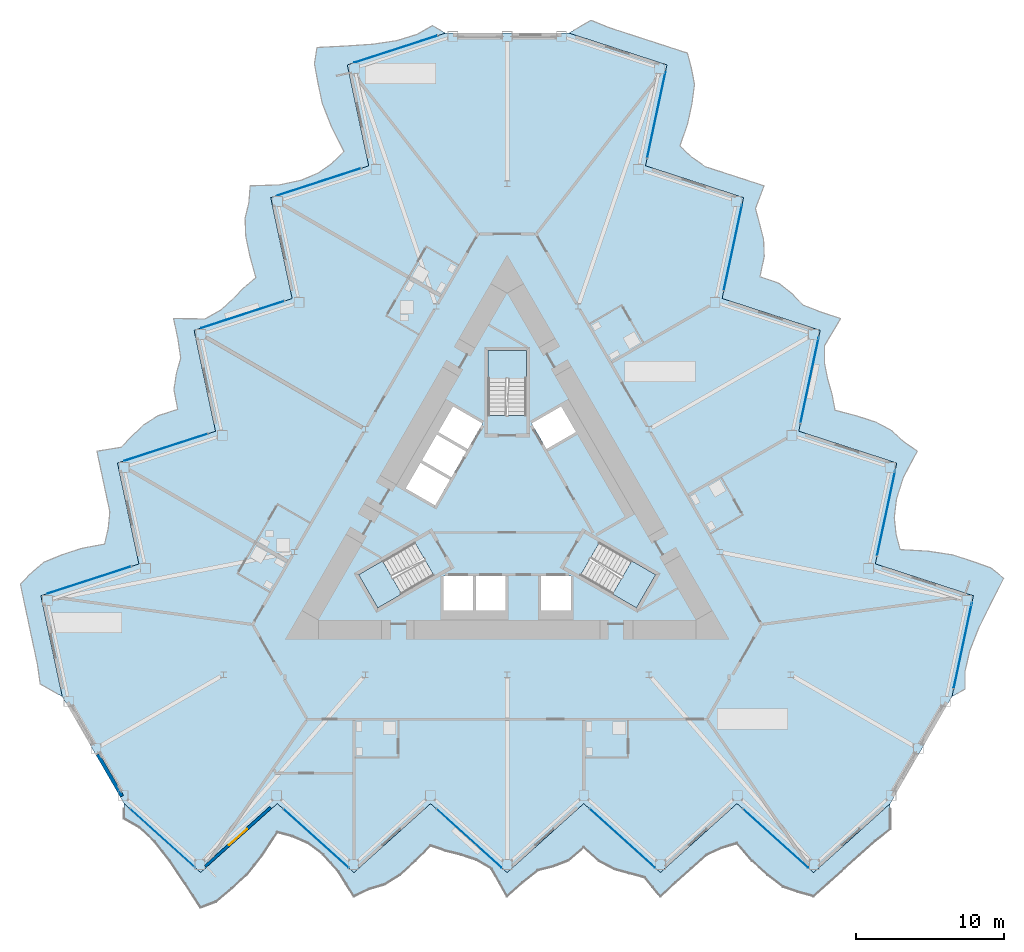
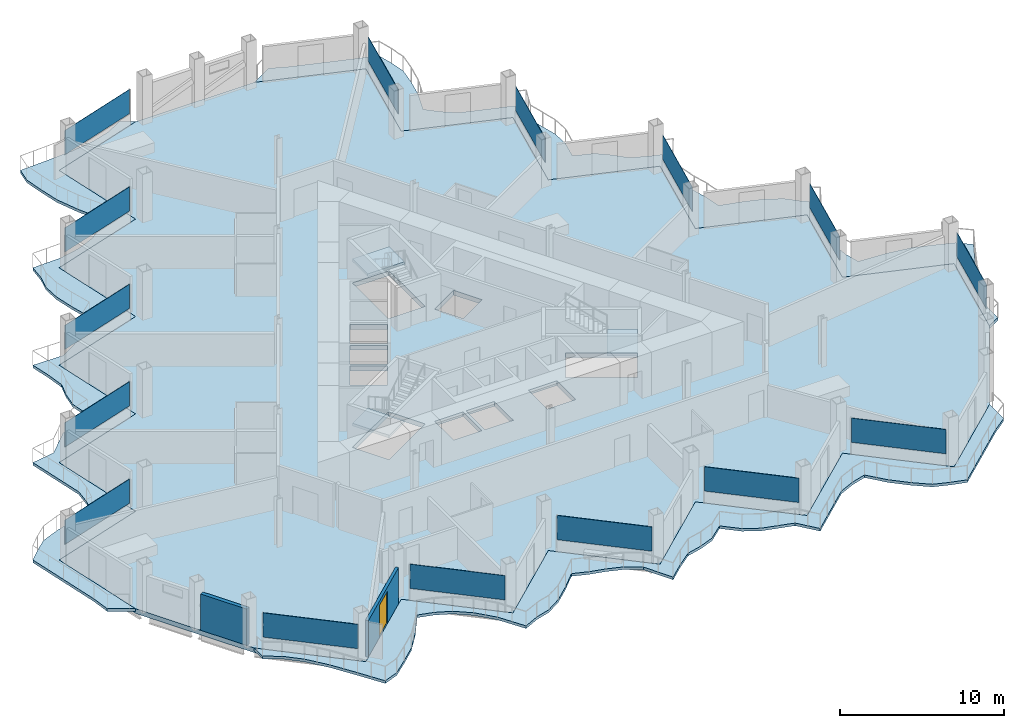
# One storey, part 10 of 23: 15 plates, 7 slabs, 2 walls, 1 door, 1 opening, 18 elements without a shape of their own.
"""IFC4 building model written with IfcOpenShell, lengths in metres."""

from ifc_helpers import new_model, si_unit, direction, frame, frame_2d, origin, origin_2d, place, context, subcontext, project, spatial, polyline, rectangle, outline, extrude, material, layer, layer_set, type_object, element, fill, aggregate, save


model = new_model("IFC4")

# Units and contexts
model_context = context("Model", 3, precision=1e-05, world=origin(), true_north=direction((0.0, 1.0)))
body_context = subcontext(model_context, "Body", "Model", "MODEL_VIEW")
ifc_project = project(units=[si_unit("LENGTHUNIT", "METRE"), si_unit("AREAUNIT", "SQUARE_METRE"), si_unit("VOLUMEUNIT", "CUBIC_METRE"), si_unit("PLANEANGLEUNIT", "RADIAN"), si_unit("MASSUNIT", "GRAM", prefix="KILO")], contexts=[model_context])

# Site, building, storey
site_placement = place(None, origin())
site = spatial("IfcSite", under=ifc_project, at=site_placement, CompositionType="ELEMENT")
building_placement = place(site_placement, origin())
building = spatial("IfcBuilding", under=site, at=building_placement, Name="Cormorant Prow Tower", CompositionType="ELEMENT")
storey_placement = place(building_placement, frame((0.0, 0.0, 245.39990234375)))
storey = spatial("IfcBuildingStorey", under=building, at=storey_placement, Name="L54", CompositionType="ELEMENT", Elevation=245.39990234375)

# Slabs
ifc_material_1 = material(Name="Concrete C40/50", Category="concrete")
ifc_layer_1 = layer(ifc_material_1, 0.199951171875)
ifc_layer_set_1 = layer_set([ifc_layer_1], Name="Concrete C40/50")
slab_type_1 = type_object("IfcSlabType", Name="Balcony slab 200", PredefinedType="FLOOR", material=ifc_layer_set_1)
slab_1_placement = place(storey_placement, frame((0.0, 0.0, -0.199951171875)))
element("IfcSlab", 1, at=slab_1_placement, inside=storey, type_object=slab_type_1, Name="Balcony slab S L54", PredefinedType="FLOOR", context=body_context, shape_type="SweptSolid", body=[
    extrude(outline(polyline([(-25.87841796875, -19.75830078125), (-25.87841796875, -20.7744140625), (-24.84326171875, -21.37548828125), (-23.808349609375, -22.331298828125), (-22.773193359375, -23.634521484375), (-21.738037109375, -25.177001953125), (-20.702880859375, -26.78076171875), (-19.667724609375, -26.38525390625), (-18.632568359375, -25.50439453125), (-17.597412109375, -24.572265625), (-16.562255859375, -23.269775390625), (-15.527099609375, -21.69287109375), (-14.491943359375, -21.969970703125), (-13.456787109375, -22.427978515625), (-12.421630859375, -23.20556640625), (-11.386474609375, -24.34716796875), (-10.351318359375, -26.018310546875), (-9.316162109375, -25.52685546875), (-8.281005859375, -25.22021484375), (-7.24609375, -24.572265625), (-6.2109375, -23.64013671875), (-5.17578125, -22.58984375), (-4.140625, -22.952392578125), (-3.10546875, -23.20947265625), (-2.0703125, -23.5576171875), (-1.03515625, -24.16748046875), (0.0, -26.018310546875), (1.03515625, -25.08642578125), (2.0703125, -24.262939453125), (3.10546875, -24.00146484375), (4.140625, -23.599853515625), (5.17578125, -22.708251953125), (6.2109375, -23.64013671875), (7.24609375, -24.1865234375), (8.281005859375, -24.470947265625), (9.316162109375, -24.75048828125), (10.351318359375, -26.018310546875), (11.386474609375, -25.08642578125), (12.421630859375, -24.154296875), (13.456787109375, -23.22216796875), (14.491943359375, -22.748779296875), (15.527099609375, -22.4384765625), (16.562255859375, -23.64013671875), (17.597412109375, -24.572265625), (18.632568359375, -25.373779296875), (19.667724609375, -25.731201171875), (20.702880859375, -26.018310546875), (21.738037109375, -25.08642578125), (22.773193359375, -24.154296875), (23.808349609375, -23.22216796875), (24.84326171875, -22.290283203125), (25.87841796875, -21.48486328125), (25.87841796875, -19.75830078125), (24.84326171875, -20.690185546875), (23.808349609375, -21.622314453125), (22.773193359375, -22.554443359375), (21.738037109375, -23.486328125), (20.702880859375, -24.41845703125), (19.667724609375, -23.486328125), (18.632568359375, -22.554443359375), (17.597412109375, -21.622314453125), (16.562255859375, -20.690185546875), (15.527099609375, -19.75830078125), (14.491943359375, -20.690185546875), (13.456787109375, -21.622314453125), (12.421630859375, -22.554443359375), (11.386474609375, -23.486328125), (10.351318359375, -24.41845703125), (9.316162109375, -23.486328125), (8.281005859375, -22.554443359375), (7.24609375, -21.622314453125), (6.2109375, -20.690185546875), (5.17578125, -19.75830078125), (4.140625, -20.690185546875), (3.10546875, -21.622314453125), (2.0703125, -22.554443359375), (1.03515625, -23.486328125), (0.0, -24.41845703125), (-1.03515625, -23.486328125), (-2.0703125, -22.554443359375), (-3.10546875, -21.622314453125), (-4.140625, -20.690185546875), (-5.17578125, -19.75830078125), (-6.2109375, -20.690185546875), (-7.24609375, -21.622314453125), (-8.281005859375, -22.554443359375), (-9.316162109375, -23.486328125), (-10.351318359375, -24.41845703125), (-11.386474609375, -23.486328125), (-12.421630859375, -22.554443359375), (-13.456787109375, -21.622314453125), (-14.491943359375, -20.690185546875), (-15.527099609375, -19.75830078125), (-16.562255859375, -20.690185546875), (-17.597412109375, -21.622314453125), (-18.632568359375, -22.554443359375), (-19.667724609375, -23.486328125), (-20.702880859375, -24.41845703125), (-21.738037109375, -23.486328125), (-22.773193359375, -22.554443359375), (-23.808349609375, -21.622314453125), (-24.84326171875, -20.690185546875), (-25.87841796875, -19.75830078125)])), origin(), (0.0, 0.0, 1.0), 0.199951171875),
])
slab_2_placement = place(storey_placement, frame((0.0, 0.0, -0.199951171875)))
element("IfcSlab", 2, at=slab_2_placement, inside=storey, type_object=slab_type_1, Name="Balcony slab ENE L54", PredefinedType="FLOOR", context=body_context, shape_type="SweptSolid", body=[
    extrude(outline(polyline([(30.05029296875, -12.532470703125), (30.930419921875, -12.0244140625), (30.93359375, -10.8271484375), (31.24365234375, -9.452880859375), (31.854736328125, -7.90478515625), (32.673095703125, -6.237060546875), (33.544189453125, -4.538818359375), (32.68408203125, -3.840087890625), (31.403564453125, -3.384033203125), (30.078857421875, -2.95361328125), (28.433349609375, -2.70849609375), (26.55029296875, -2.600341796875), (26.2724609375, -1.5654296875), (26.151611328125, -0.43994140625), (26.307373046875, 0.84521484375), (26.778564453125, 2.3125), (27.708251953125, 4.044677734375), (26.764892578125, 4.6953125), (25.98193359375, 5.4384765625), (24.9033203125, 6.010986328125), (23.578369140625, 6.44140625), (22.151123046875, 6.812744140625), (21.94775390625, 7.890380859375), (21.652587890625, 8.915283203125), (21.436767578125, 9.98583984375), (21.447265625, 11.187255859375), (22.53271484375, 13.00927734375), (21.207763671875, 13.439697265625), (19.977294921875, 13.924560546875), (19.233154296875, 14.690185546875), (18.367919921875, 15.3857421875), (17.078125, 15.83642578125), (17.36767578125, 17.198974609375), (17.322998046875, 18.368408203125), (17.0517578125, 19.406982421875), (16.7763671875, 20.443359375), (17.35693359375, 21.973876953125), (16.0322265625, 22.404296875), (14.70751953125, 22.834716796875), (13.382568359375, 23.26513671875), (12.455078125, 23.9248046875), (11.668701171875, 24.666015625), (12.19189453125, 26.163330078125), (12.4814453125, 27.52587890625), (12.657958984375, 28.822998046875), (12.449951171875, 29.898193359375), (12.18115234375, 30.9384765625), (10.8564453125, 31.368896484375), (9.53173828125, 31.79931640625), (8.20703125, 32.229736328125), (6.88232421875, 32.66015625), (5.667236328125, 33.154052734375), (4.171875, 32.29052734375), (5.49658203125, 31.860107421875), (6.8212890625, 31.4296875), (8.14599609375, 30.999267578125), (9.470703125, 30.56884765625), (10.795654296875, 30.138427734375), (10.505859375, 28.77587890625), (10.21630859375, 27.413330078125), (9.9267578125, 26.051025390625), (9.63720703125, 24.6884765625), (9.34765625, 23.325927734375), (10.67236328125, 22.8955078125), (11.9970703125, 22.465087890625), (13.32177734375, 22.03466796875), (14.646484375, 21.604248046875), (15.97119140625, 21.173828125), (15.681640625, 19.811279296875), (15.39208984375, 18.44873046875), (15.1025390625, 17.08642578125), (14.812744140625, 15.723876953125), (14.523193359375, 14.361328125), (15.847900390625, 13.930908203125), (17.172607421875, 13.50048828125), (18.49755859375, 13.070068359375), (19.822265625, 12.6396484375), (21.14697265625, 12.209228515625), (20.857421875, 10.8466796875), (20.56787109375, 9.484130859375), (20.278076171875, 8.121826171875), (19.988525390625, 6.75927734375), (19.698974609375, 5.396728515625), (21.023681640625, 4.96630859375), (22.348388671875, 4.535888671875), (23.673095703125, 4.10546875), (24.997802734375, 3.675048828125), (26.32275390625, 3.24462890625), (26.032958984375, 1.882080078125), (25.743408203125, 0.519775390625), (25.453857421875, -0.8427734375), (25.164306640625, -2.205322265625), (24.874755859375, -3.56787109375), (26.199462890625, -3.998291015625), (27.524169921875, -4.4287109375), (28.848876953125, -4.859130859375), (30.173583984375, -5.28955078125), (31.498291015625, -5.719970703125), (31.208740234375, -7.08251953125), (30.919189453125, -8.44482421875), (30.629638671875, -9.807373046875), (30.33984375, -11.169921875), (30.05029296875, -12.532470703125)])), origin(), (0.0, 0.0, 1.0), 0.199951171875),
])
slab_3_placement = place(storey_placement, frame((0.0, 0.0, -0.199951171875)))
element("IfcSlab", 3, at=slab_3_placement, inside=storey, type_object=slab_type_1, Name="Balcony slab WNW L54", PredefinedType="FLOOR", context=body_context, shape_type="SweptSolid", body=[
    extrude(outline(polyline([(-4.171875, 32.29052734375), (-5.0517578125, 32.798583984375), (-6.090087890625, 32.202880859375), (-7.435302734375, 31.7841796875), (-9.08154296875, 31.539306640625), (-10.93505859375, 31.4140625), (-12.84130859375, 31.319580078125), (-13.016357421875, 30.225341796875), (-12.771240234375, 28.888427734375), (-12.4814453125, 27.52587890625), (-11.87109375, 25.978271484375), (-11.023193359375, 24.29345703125), (-11.780517578125, 23.535400390625), (-12.69482421875, 22.867919921875), (-13.8857421875, 22.360107421875), (-15.39208984375, 22.03466796875), (-17.35693359375, 21.973876953125), (-17.44873046875, 20.83154296875), (-17.700927734375, 19.78173828125), (-17.6572265625, 18.561279296875), (-17.36767578125, 17.198974609375), (-16.9755859375, 15.777099609375), (-17.80712890625, 15.06201171875), (-18.547119140625, 14.294189453125), (-19.366455078125, 13.57177734375), (-20.412109375, 12.980224609375), (-22.53271484375, 13.00927734375), (-22.242919921875, 11.646728515625), (-22.047607421875, 10.338623046875), (-22.338623046875, 9.311279296875), (-22.508544921875, 8.214111328125), (-22.253662109375, 6.871826171875), (-23.578369140625, 6.44140625), (-24.569091796875, 5.818115234375), (-25.3330078125, 5.063720703125), (-26.092529296875, 4.30712890625), (-27.708251953125, 4.044677734375), (-27.418701171875, 2.68212890625), (-27.129150390625, 1.319580078125), (-26.839599609375, -0.042724609375), (-26.947021484375, -1.176025390625), (-27.19580078125, -2.2275390625), (-28.754150390625, -2.523193359375), (-30.078857421875, -2.95361328125), (-31.29052734375, -3.449462890625), (-32.11767578125, -4.167236328125), (-32.884033203125, -4.919921875), (-32.594482421875, -6.282470703125), (-32.3046875, -7.64501953125), (-32.01513671875, -9.00732421875), (-31.7255859375, -10.369873046875), (-31.5458984375, -11.6689453125), (-30.05029296875, -12.532470703125), (-30.33984375, -11.169921875), (-30.629638671875, -9.807373046875), (-30.919189453125, -8.44482421875), (-31.208740234375, -7.08251953125), (-31.498291015625, -5.719970703125), (-30.173583984375, -5.28955078125), (-28.848876953125, -4.859130859375), (-27.524169921875, -4.4287109375), (-26.199462890625, -3.998291015625), (-24.874755859375, -3.56787109375), (-25.164306640625, -2.205322265625), (-25.453857421875, -0.8427734375), (-25.743408203125, 0.519775390625), (-26.032958984375, 1.882080078125), (-26.32275390625, 3.24462890625), (-24.997802734375, 3.675048828125), (-23.673095703125, 4.10546875), (-22.348388671875, 4.535888671875), (-21.023681640625, 4.96630859375), (-19.698974609375, 5.396728515625), (-19.988525390625, 6.75927734375), (-20.278076171875, 8.121826171875), (-20.56787109375, 9.484130859375), (-20.857421875, 10.8466796875), (-21.14697265625, 12.209228515625), (-19.822265625, 12.6396484375), (-18.49755859375, 13.070068359375), (-17.172607421875, 13.50048828125), (-15.847900390625, 13.930908203125), (-14.523193359375, 14.361328125), (-14.812744140625, 15.723876953125), (-15.1025390625, 17.08642578125), (-15.39208984375, 18.44873046875), (-15.681640625, 19.811279296875), (-15.97119140625, 21.173828125), (-14.646484375, 21.604248046875), (-13.32177734375, 22.03466796875), (-11.9970703125, 22.465087890625), (-10.67236328125, 22.8955078125), (-9.34765625, 23.325927734375), (-9.63720703125, 24.6884765625), (-9.9267578125, 26.051025390625), (-10.21630859375, 27.413330078125), (-10.505859375, 28.77587890625), (-10.795654296875, 30.138427734375), (-9.470703125, 30.56884765625), (-8.14599609375, 30.999267578125), (-6.8212890625, 31.4296875), (-5.49658203125, 31.860107421875), (-4.171875, 32.29052734375)])), origin(), (0.0, 0.0, 1.0), 0.199951171875),
])

# Curtain wall, plate
ifc_material_2 = material(Name="Aluminium 6063-T6", Category="aluminium")
ifc_layer_2 = layer(ifc_material_2, 0.179931640625)
ifc_layer_set_2 = layer_set([ifc_layer_2], Name="Aluminium 6063-T6")
curtain_wall_type = type_object("IfcCurtainWallType", Name="Hotel unitised curtain wall 180", PredefinedType="NOTDEFINED", material=ifc_layer_set_2)
curtain_wall_1_placement = place(storey_placement, origin())
curtain_wall_1 = element("IfcCurtainWall", 4, at=curtain_wall_1_placement, inside=storey, type_object=curtain_wall_type, Name="Hotel curtain wall S00", PredefinedType="NOTDEFINED")
ifc_material_3 = material(Name="Clear glass", Category="glass")
ifc_layer_3 = layer(ifc_material_3, 0.028076171875)
ifc_layer_set_3 = layer_set([ifc_layer_3], Name="Clear glass")
plate_type = type_object("IfcPlateType", Name="Hotel glass panel 28", PredefinedType="CURTAIN_PANEL", material=ifc_layer_set_3)
plate_1_placement = place(storey_placement, frame((-23.268310546875, -22.1083984375, 0.900146484375), z_axis=(0.0, 0.0, 1.0), x_axis=(0.743144812176, -0.669130621132, 0.0)))
plate_1 = element("IfcPlate", 5, at=plate_1_placement, type_object=plate_type, Name="Hotel glass panel S00", PredefinedType="CURTAIN_PANEL", context=body_context, shape_type="SweptSolid", body=[
    extrude(rectangle(XDim=5.902587890625, YDim=0.028076171875, at=origin_2d()), origin(), (0.0, 0.0, 1.0), 1.80078125),
])
aggregate(curtain_wall_1, [plate_1])

curtain_wall_2_placement = place(storey_placement, origin())
curtain_wall_2 = element("IfcCurtainWall", 6, at=curtain_wall_2_placement, inside=storey, type_object=curtain_wall_type, Name="Hotel curtain wall S02", PredefinedType="NOTDEFINED")
plate_2_placement = place(storey_placement, frame((-12.9169921875, -22.1083984375, 0.900146484375), z_axis=(0.0, 0.0, 1.0), x_axis=(0.743144876466, -0.66913054973, 0.0)))
plate_2 = element("IfcPlate", 7, at=plate_2_placement, type_object=plate_type, Name="Hotel glass panel S02", PredefinedType="CURTAIN_PANEL", context=body_context, shape_type="SweptSolid", body=[
    extrude(rectangle(XDim=5.902587890625, YDim=0.028076171875, at=origin_2d()), origin(), (0.0, 0.0, 1.0), 1.80078125),
])
aggregate(curtain_wall_2, [plate_2])

curtain_wall_3_placement = place(storey_placement, origin())
curtain_wall_3 = element("IfcCurtainWall", 8, at=curtain_wall_3_placement, inside=storey, type_object=curtain_wall_type, Name="Hotel curtain wall S04", PredefinedType="NOTDEFINED")
plate_3_placement = place(storey_placement, frame((-2.565673828125, -22.1083984375, 0.900146484375), z_axis=(0.0, 0.0, 1.0), x_axis=(0.743144812176, -0.669130621132, 0.0)))
plate_3 = element("IfcPlate", 9, at=plate_3_placement, type_object=plate_type, Name="Hotel glass panel S04", PredefinedType="CURTAIN_PANEL", context=body_context, shape_type="SweptSolid", body=[
    extrude(rectangle(XDim=5.902587890625, YDim=0.028076171875, at=origin_2d()), origin(), (0.0, 0.0, 1.0), 1.80078125),
])
aggregate(curtain_wall_3, [plate_3])

curtain_wall_4_placement = place(storey_placement, origin())
curtain_wall_4 = element("IfcCurtainWall", 10, at=curtain_wall_4_placement, inside=storey, type_object=curtain_wall_type, Name="Hotel curtain wall S06", PredefinedType="NOTDEFINED")
plate_4_placement = place(storey_placement, frame((7.785888671875, -22.1083984375, 0.900146484375), z_axis=(0.0, 0.0, 1.0), x_axis=(0.743144812176, -0.669130621132, 0.0)))
plate_4 = element("IfcPlate", 11, at=plate_4_placement, type_object=plate_type, Name="Hotel glass panel S06", PredefinedType="CURTAIN_PANEL", context=body_context, shape_type="SweptSolid", body=[
    extrude(rectangle(XDim=5.902587890625, YDim=0.028076171875, at=origin_2d()), origin(), (0.0, 0.0, 1.0), 1.80078125),
])
aggregate(curtain_wall_4, [plate_4])

curtain_wall_5_placement = place(storey_placement, origin())
curtain_wall_5 = element("IfcCurtainWall", 12, at=curtain_wall_5_placement, inside=storey, type_object=curtain_wall_type, Name="Hotel curtain wall S08", PredefinedType="NOTDEFINED")
plate_5_placement = place(storey_placement, frame((18.13720703125, -22.1083984375, 0.900146484375), z_axis=(0.0, 0.0, 1.0), x_axis=(0.743144812176, -0.669130621132, 0.0)))
plate_5 = element("IfcPlate", 13, at=plate_5_placement, type_object=plate_type, Name="Hotel glass panel S08", PredefinedType="CURTAIN_PANEL", context=body_context, shape_type="SweptSolid", body=[
    extrude(rectangle(XDim=5.902587890625, YDim=0.028076171875, at=origin_2d()), origin(), (0.0, 0.0, 1.0), 1.80078125),
])
aggregate(curtain_wall_5, [plate_5])

curtain_wall_6_placement = place(storey_placement, origin())
curtain_wall_6 = element("IfcCurtainWall", 14, at=curtain_wall_6_placement, inside=storey, type_object=curtain_wall_type, Name="Hotel curtain wall ENE00", PredefinedType="NOTDEFINED")
plate_6_placement = place(storey_placement, frame((30.780517578125, -9.096923828125, 0.900146484375), z_axis=(0.0, 0.0, 1.0), x_axis=(0.207911667327, 0.978147605727, 0.0)))
plate_6 = element("IfcPlate", 15, at=plate_6_placement, type_object=plate_type, Name="Hotel glass panel ENE00", PredefinedType="CURTAIN_PANEL", context=body_context, shape_type="SweptSolid", body=[
    extrude(rectangle(XDim=5.902587890625, YDim=0.028076171875, at=origin_2d()), origin(), (0.0, 0.0, 1.0), 1.80078125),
])
aggregate(curtain_wall_6, [plate_6])

curtain_wall_7_placement = place(storey_placement, origin())
curtain_wall_7 = element("IfcCurtainWall", 16, at=curtain_wall_7_placement, inside=storey, type_object=curtain_wall_type, Name="Hotel curtain wall ENE02", PredefinedType="NOTDEFINED")
plate_7_placement = place(storey_placement, frame((25.60498046875, -0.13232421875, 0.900146484375), z_axis=(0.0, 0.0, 1.0), x_axis=(0.207911667327, 0.978147605727, 0.0)))
plate_7 = element("IfcPlate", 17, at=plate_7_placement, type_object=plate_type, Name="Hotel glass panel ENE02", PredefinedType="CURTAIN_PANEL", context=body_context, shape_type="SweptSolid", body=[
    extrude(rectangle(XDim=5.902587890625, YDim=0.028076171875, at=origin_2d()), origin(), (0.0, 0.0, 1.0), 1.80078125),
])
aggregate(curtain_wall_7, [plate_7])

curtain_wall_8_placement = place(storey_placement, origin())
curtain_wall_8 = element("IfcCurtainWall", 18, at=curtain_wall_8_placement, inside=storey, type_object=curtain_wall_type, Name="Hotel curtain wall ENE04", PredefinedType="NOTDEFINED")
plate_8_placement = place(storey_placement, frame((20.42919921875, 8.832275390625, 0.900146484375), z_axis=(0.0, 0.0, 1.0), x_axis=(0.207911667327, 0.978147605727, 0.0)))
plate_8 = element("IfcPlate", 19, at=plate_8_placement, type_object=plate_type, Name="Hotel glass panel ENE04", PredefinedType="CURTAIN_PANEL", context=body_context, shape_type="SweptSolid", body=[
    extrude(rectangle(XDim=5.902587890625, YDim=0.028076171875, at=origin_2d()), origin(), (0.0, 0.0, 1.0), 1.80078125),
])
aggregate(curtain_wall_8, [plate_8])

curtain_wall_9_placement = place(storey_placement, origin())
curtain_wall_9 = element("IfcCurtainWall", 20, at=curtain_wall_9_placement, inside=storey, type_object=curtain_wall_type, Name="Hotel curtain wall ENE06", PredefinedType="NOTDEFINED")
plate_9_placement = place(storey_placement, frame((15.25341796875, 17.796875, 0.900146484375), z_axis=(0.0, 0.0, 1.0), x_axis=(0.207911833914, 0.978147570318, 0.0)))
plate_9 = element("IfcPlate", 21, at=plate_9_placement, type_object=plate_type, Name="Hotel glass panel ENE06", PredefinedType="CURTAIN_PANEL", context=body_context, shape_type="SweptSolid", body=[
    extrude(rectangle(XDim=5.902587890625, YDim=0.028076171875, at=origin_2d()), origin(), (0.0, 0.0, 1.0), 1.80078125),
])
aggregate(curtain_wall_9, [plate_9])

curtain_wall_10_placement = place(storey_placement, origin())
curtain_wall_10 = element("IfcCurtainWall", 22, at=curtain_wall_10_placement, inside=storey, type_object=curtain_wall_type, Name="Hotel curtain wall ENE08", PredefinedType="NOTDEFINED")
plate_10_placement = place(storey_placement, frame((10.077880859375, 26.761474609375, 0.900146484375), z_axis=(0.0, 0.0, 1.0), x_axis=(0.207911667327, 0.978147605727, 0.0)))
plate_10 = element("IfcPlate", 23, at=plate_10_placement, type_object=plate_type, Name="Hotel glass panel ENE08", PredefinedType="CURTAIN_PANEL", context=body_context, shape_type="SweptSolid", body=[
    extrude(rectangle(XDim=5.902587890625, YDim=0.028076171875, at=origin_2d()), origin(), (0.0, 0.0, 1.0), 1.80078125),
])
aggregate(curtain_wall_10, [plate_10])

curtain_wall_11_placement = place(storey_placement, origin())
curtain_wall_11 = element("IfcCurtainWall", 24, at=curtain_wall_11_placement, inside=storey, type_object=curtain_wall_type, Name="Hotel curtain wall WNW00", PredefinedType="NOTDEFINED")
plate_11_placement = place(storey_placement, frame((-7.51220703125, 31.205078125, 0.900146484375), z_axis=(0.0, 0.0, 1.0), x_axis=(-0.951056504268, -0.309017031391, 0.0)))
plate_11 = element("IfcPlate", 25, at=plate_11_placement, type_object=plate_type, Name="Hotel glass panel WNW00", PredefinedType="CURTAIN_PANEL", context=body_context, shape_type="SweptSolid", body=[
    extrude(rectangle(XDim=5.902587890625, YDim=0.028076171875, at=origin_2d()), origin(), (0.0, 0.0, 1.0), 1.80078125),
])
aggregate(curtain_wall_11, [plate_11])

curtain_wall_12_placement = place(storey_placement, origin())
curtain_wall_12 = element("IfcCurtainWall", 26, at=curtain_wall_12_placement, inside=storey, type_object=curtain_wall_type, Name="Hotel curtain wall WNW02", PredefinedType="NOTDEFINED")
plate_12_placement = place(storey_placement, frame((-12.68798828125, 22.24072265625, 0.900146484375), z_axis=(0.0, 0.0, 1.0), x_axis=(-0.951056517978, -0.309016989196, 0.0)))
plate_12 = element("IfcPlate", 27, at=plate_12_placement, type_object=plate_type, Name="Hotel glass panel WNW02", PredefinedType="CURTAIN_PANEL", context=body_context, shape_type="SweptSolid", body=[
    extrude(rectangle(XDim=5.902587890625, YDim=0.028076171875, at=origin_2d()), origin(), (0.0, 0.0, 1.0), 1.80078125),
])
aggregate(curtain_wall_12, [plate_12])

curtain_wall_13_placement = place(storey_placement, origin())
curtain_wall_13 = element("IfcCurtainWall", 28, at=curtain_wall_13_placement, inside=storey, type_object=curtain_wall_type, Name="Hotel curtain wall WNW04", PredefinedType="NOTDEFINED")
plate_13_placement = place(storey_placement, frame((-17.863525390625, 13.276123046875, 0.900146484375), z_axis=(0.0, 0.0, 1.0), x_axis=(-0.951056517978, -0.309016989196, 0.0)))
plate_13 = element("IfcPlate", 29, at=plate_13_placement, type_object=plate_type, Name="Hotel glass panel WNW04", PredefinedType="CURTAIN_PANEL", context=body_context, shape_type="SweptSolid", body=[
    extrude(rectangle(XDim=5.902587890625, YDim=0.028076171875, at=origin_2d()), origin(), (0.0, 0.0, 1.0), 1.80078125),
])
aggregate(curtain_wall_13, [plate_13])

curtain_wall_14_placement = place(storey_placement, origin())
curtain_wall_14 = element("IfcCurtainWall", 30, at=curtain_wall_14_placement, inside=storey, type_object=curtain_wall_type, Name="Hotel curtain wall WNW06", PredefinedType="NOTDEFINED")
plate_14_placement = place(storey_placement, frame((-23.039306640625, 4.3115234375, 0.900146484375), z_axis=(0.0, 0.0, 1.0), x_axis=(-0.951056504268, -0.309017031391, 0.0)))
plate_14 = element("IfcPlate", 31, at=plate_14_placement, type_object=plate_type, Name="Hotel glass panel WNW06", PredefinedType="CURTAIN_PANEL", context=body_context, shape_type="SweptSolid", body=[
    extrude(rectangle(XDim=5.902587890625, YDim=0.028076171875, at=origin_2d()), origin(), (0.0, 0.0, 1.0), 1.80078125),
])
aggregate(curtain_wall_14, [plate_14])

curtain_wall_15_placement = place(storey_placement, origin())
curtain_wall_15 = element("IfcCurtainWall", 32, at=curtain_wall_15_placement, inside=storey, type_object=curtain_wall_type, Name="Hotel curtain wall WNW08", PredefinedType="NOTDEFINED")
plate_15_placement = place(storey_placement, frame((-28.215087890625, -4.653076171875, 0.900146484375), z_axis=(0.0, 0.0, 1.0), x_axis=(-0.951056546466, -0.30901690152, 0.0)))
plate_15 = element("IfcPlate", 33, at=plate_15_placement, type_object=plate_type, Name="Hotel glass panel WNW08", PredefinedType="CURTAIN_PANEL", context=body_context, shape_type="SweptSolid", body=[
    extrude(rectangle(XDim=5.902587890625, YDim=0.028076171875, at=origin_2d()), origin(), (0.0, 0.0, 1.0), 1.80078125),
])
aggregate(curtain_wall_15, [plate_15])

# Slab
ifc_material_4 = material(Name="Concrete C40/50", Category="concrete")
ifc_layer_4 = layer(ifc_material_4, 0.35009765625)
ifc_layer_set_4 = layer_set([ifc_layer_4], Name="Concrete C40/50")
slab_type_2 = type_object("IfcSlabType", Name="Post-tensioned flat slab 350", PredefinedType="FLOOR", material=ifc_layer_set_4)
slab_4_placement = place(storey_placement, frame((0.0, 0.0, -0.349853515625)))
element("IfcSlab", 34, at=slab_4_placement, inside=storey, type_object=slab_type_2, Name="Floor slab L54", PredefinedType="FLOOR", context=body_context, shape_type="SweptSolid", body=[
    extrude(outline(polyline([(-9.34765625, 23.325927734375), (-15.97119140625, 21.173828125), (-14.523193359375, 14.361328125), (-21.14697265625, 12.209228515625), (-19.698974609375, 5.396728515625), (-26.32275390625, 3.24462890625), (-24.874755859375, -3.56787109375), (-31.498291015625, -5.719970703125), (-30.05029296875, -12.532470703125), (-27.96435546875, -16.145263671875), (-25.87841796875, -19.75830078125), (-20.702880859375, -24.41845703125), (-15.527099609375, -19.75830078125), (-10.351318359375, -24.41845703125), (-5.17578125, -19.75830078125), (0.0, -24.41845703125), (5.17578125, -19.75830078125), (10.351318359375, -24.41845703125), (15.527099609375, -19.75830078125), (20.702880859375, -24.41845703125), (25.87841796875, -19.75830078125), (27.96435546875, -16.145263671875), (30.05029296875, -12.532470703125), (31.498291015625, -5.719970703125), (24.874755859375, -3.56787109375), (26.32275390625, 3.24462890625), (19.698974609375, 5.396728515625), (21.14697265625, 12.209228515625), (14.523193359375, 14.361328125), (15.97119140625, 21.173828125), (9.34765625, 23.325927734375), (10.795654296875, 30.138427734375), (4.171875, 32.29052734375), (0.0, 32.29052734375), (-4.171875, 32.29052734375), (-10.795654296875, 30.138427734375), (-9.34765625, 23.325927734375)]), holes=[polyline([(-4.300048828125, -4.39990234375), (-2.300048828125, -4.39990234375), (-2.300048828125, -6.699951171875), (-4.300048828125, -6.699951171875), (-4.300048828125, -4.39990234375)]), polyline([(-0.10009765625, -4.39990234375), (-0.10009765625, -6.699951171875), (-2.10009765625, -6.699951171875), (-2.10009765625, -4.39990234375), (-0.10009765625, -4.39990234375)]), polyline([(4.300048828125, -6.699951171875), (2.300048828125, -6.699951171875), (2.300048828125, -4.39990234375), (4.300048828125, -4.39990234375), (4.300048828125, -6.699951171875)]), polyline([(4.65234375, 5.341796875), (2.660400390625, 4.19189453125), (1.660400390625, 5.923828125), (3.65234375, 7.073974609375), (4.65234375, 5.341796875)]), polyline([(-1.660400390625, 5.923828125), (-2.660400390625, 4.19189453125), (-4.65234375, 5.341796875), (-3.65234375, 7.073974609375), (-1.660400390625, 5.923828125)]), polyline([(-3.760498046875, 2.28662109375), (-5.75244140625, 3.4365234375), (-4.75244140625, 5.168701171875), (-2.760498046875, 4.018798828125), (-3.760498046875, 2.28662109375)]), polyline([(-6.852294921875, 1.53125), (-5.852294921875, 3.263427734375), (-3.860595703125, 2.11328125), (-4.860595703125, 0.38134765625), (-6.852294921875, 1.53125)]), polyline([(-4.947509765625, -4.3505859375), (-8.738037109375, -6.5390625), (-10.031982421875, -4.2978515625), (-6.241455078125, -2.109375), (-4.947509765625, -4.3505859375)]), polyline([(10.031982421875, -4.2978515625), (8.738037109375, -6.5390625), (4.947509765625, -4.3505859375), (6.241455078125, -2.109375), (10.031982421875, -4.2978515625)]), polyline([(1.2939453125, 10.8369140625), (1.2939453125, 6.459716796875), (-1.2939453125, 6.459716796875), (-1.2939453125, 10.8369140625), (1.2939453125, 10.8369140625)])]), origin(), (0.0, 0.0, 1.0), 0.349853515625),
])

# Stair, slab
ifc_material_5 = material(Name="Exit stair 20 risers")
stair_type = type_object("IfcStairType", Name="Exit stair 20 risers", PredefinedType="HALF_TURN_STAIR", material=ifc_material_5)
stair_1_placement = place(storey_placement, origin())
stair_1 = element("IfcStair", 35, at=stair_1_placement, inside=storey, type_object=stair_type, Name="L54 Exit stair ST1", PredefinedType="HALF_TURN_STAIR")
ifc_material_6 = material(Name="Concrete 5000 psi", Category="concrete")
ifc_layer_5 = layer(ifc_material_6, 0.199951171875)
ifc_layer_set_5 = layer_set([ifc_layer_5], Name="Concrete 5000 psi")
slab_type_3 = type_object("IfcSlabType", Name="Stair landing 200", PredefinedType="LANDING", material=ifc_layer_set_5)
slab_5_placement = place(storey_placement, frame((0.0, 0.0, 1.60009765625)))
slab_5 = element("IfcSlab", 36, at=slab_5_placement, type_object=slab_type_3, Name="ST1 landing 1", PredefinedType="LANDING", context=body_context, shape_type="SweptSolid", body=[
    extrude(outline(polyline([(-8.416748046875, -3.365234375), (-10.031982421875, -4.2978515625), (-8.738037109375, -6.5390625), (-7.122802734375, -5.6064453125), (-8.416748046875, -3.365234375)])), origin(), (0.0, 0.0, 1.0), 0.199951171875),
])
aggregate(stair_1, [slab_5])

stair_2_placement = place(storey_placement, origin())
stair_2 = element("IfcStair", 37, at=stair_2_placement, inside=storey, type_object=stair_type, Name="L54 Exit stair ST2", PredefinedType="HALF_TURN_STAIR")
slab_6_placement = place(storey_placement, frame((0.0, 0.0, 1.60009765625)))
slab_6 = element("IfcSlab", 38, at=slab_6_placement, type_object=slab_type_3, Name="ST2 landing 1", PredefinedType="LANDING", context=body_context, shape_type="SweptSolid", body=[
    extrude(outline(polyline([(7.122802734375, -5.6064453125), (8.738037109375, -6.5390625), (10.031982421875, -4.2978515625), (8.416748046875, -3.365234375), (7.122802734375, -5.6064453125)])), origin(), (0.0, 0.0, 1.0), 0.199951171875),
])
aggregate(stair_2, [slab_6])

stair_3_placement = place(storey_placement, origin())
stair_3 = element("IfcStair", 39, at=stair_3_placement, inside=storey, type_object=stair_type, Name="L54 Exit stair ST3", PredefinedType="HALF_TURN_STAIR")
slab_7_placement = place(storey_placement, frame((0.0, 0.0, 1.60009765625)))
slab_7 = element("IfcSlab", 40, at=slab_7_placement, type_object=slab_type_3, Name="ST3 landing 1", PredefinedType="LANDING", context=body_context, shape_type="SweptSolid", body=[
    extrude(outline(polyline([(1.2939453125, 8.971923828125), (1.2939453125, 10.8369140625), (-1.2939453125, 10.8369140625), (-1.2939453125, 8.971923828125), (1.2939453125, 8.971923828125)])), origin(), (0.0, 0.0, 1.0), 0.199951171875),
])
aggregate(stair_3, [slab_7])

# Wall
ifc_material_7 = material(Name="Terracotta", Category="masonry")
ifc_layer_6 = layer(ifc_material_7, 0.25)
ifc_layer_set_6 = layer_set([ifc_layer_6], Name="Terracotta")
wall_type_1 = type_object("IfcWallType", Name="Terracotta bay wall 250", PredefinedType="SOLIDWALL", material=ifc_layer_set_6)
wall_1_placement = place(storey_placement, frame((-27.65185546875, -16.436767578125, 0.0), z_axis=(0.0, 0.0, 1.0), x_axis=(0.500026945261, -0.866009846372, 0.0)))
element("IfcWall", 41, at=wall_1_placement, inside=storey, type_object=wall_type_1, Name="Terracotta bay wall WSW01", PredefinedType="SOLIDWALL", context=body_context, shape_type="SweptSolid", body=[
    extrude(rectangle(XDim=3.261962890625, YDim=0.25, at=frame_2d((1.630859375, 0.0))), origin(), (0.0, 0.0, 1.0), 2.700927734375),
])

# Wall, opening, door
ifc_material_8 = material(Name="Terracotta", Category="masonry")
ifc_layer_7 = layer(ifc_material_8, 0.199951171875)
ifc_layer_set_7 = layer_set([ifc_layer_7], Name="Terracotta")
wall_type_2 = type_object("IfcWallType", Name="Terracotta jamb wall 200", PredefinedType="SOLIDWALL", material=ifc_layer_set_7)
wall_2_placement = place(storey_placement, frame((-20.3974609375, -24.0087890625, 0.0), z_axis=(0.0, 0.0, 1.0), x_axis=(0.74315161366, 0.669123067241, 0.0)))
wall_2 = element("IfcWall", 42, at=wall_2_placement, inside=storey, type_object=wall_type_2, Name="Terracotta jamb wall S01", PredefinedType="SOLIDWALL", context=body_context, shape_type="SweptSolid", body=[
    extrude(rectangle(XDim=5.962646484375, YDim=0.199951171875, at=frame_2d((2.9814453125, 0.0))), origin(), (0.0, 0.0, 1.0), 2.700927734375),
])
opening_placement = place(wall_2_placement, frame((2.181396484375, 0.0, 0.0)))
opening = element("IfcOpeningElement", 43, at=opening_placement, cuts=wall_2, Name="Opening ED54.01", PredefinedType="OPENING", context=body_context, shape_type="SweptSolid", body=[
    extrude(rectangle(XDim=1.60009765625, YDim=2.39990234375, at=frame_2d((0.800048828125, 1.199951171875))), frame((0.0, 0.10986328125, 0.0), z_axis=(0.0, -1.0, 0.0), x_axis=(1.0, 0.0, 0.0)), (0.0, 0.0, 1.0), 0.219970703125),
])
ifc_material_9 = material(Name="Aluminium 6063-T6", Category="aluminium")
door_type = type_object("IfcDoorType", Name="Balcony door 1600x2400", OperationType="DOUBLE_DOOR_SINGLE_SWING", PredefinedType="DOOR", material=ifc_material_9)
door_placement = place(opening_placement, origin())
door = element("IfcDoor", 44, at=door_placement, inside=storey, type_object=door_type, Name="Balcony door S01 ED54.01", OperationType="DOUBLE_DOOR_SINGLE_SWING", OverallHeight=2.39990234375, OverallWidth=1.60009765625, PredefinedType="DOOR", context=body_context, shape_type="SweptSolid", body=[
    extrude(rectangle(XDim=1.60009765625, YDim=2.39990234375, at=frame_2d((0.800048828125, 1.199951171875))), frame((0.0, 0.02490234375, 0.0), z_axis=(0.0, -1.0, 0.0), x_axis=(1.0, 0.0, 0.0)), (0.0, 0.0, 1.0), 0.050048828125),
])
fill(opening, door)

save(model, "model.ifc")
